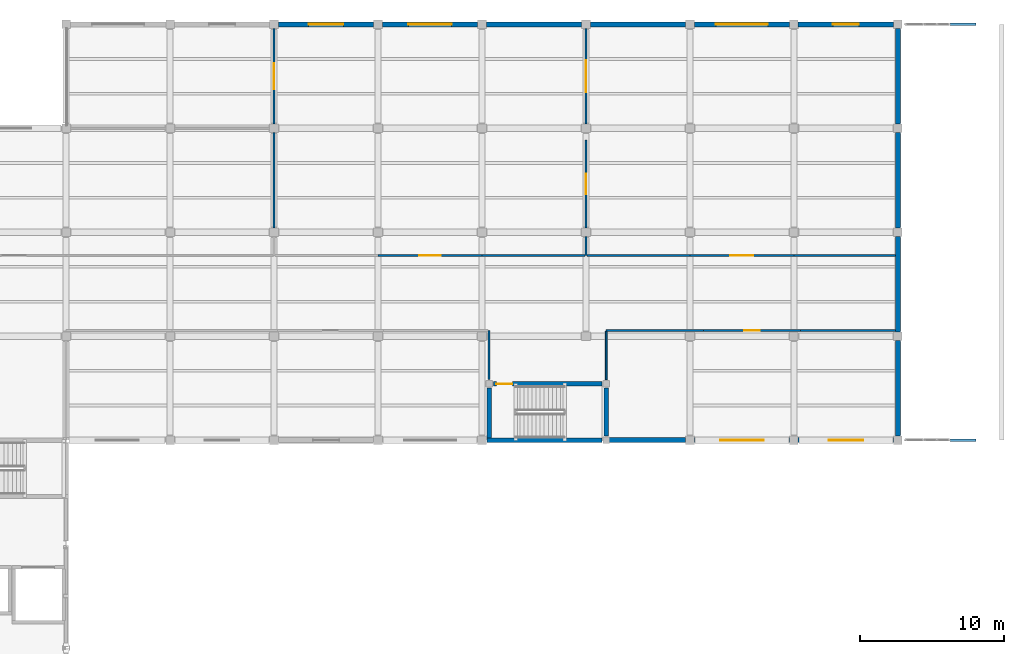
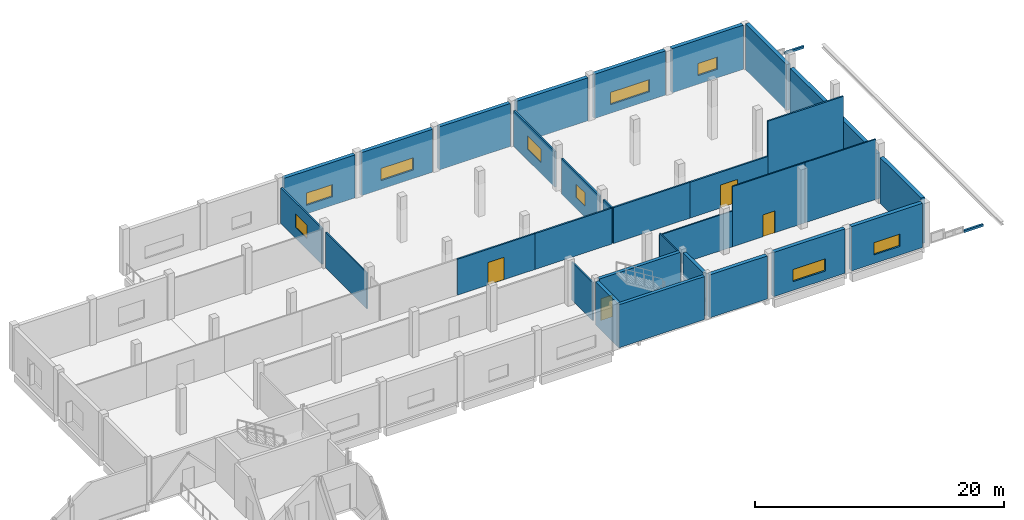
# One storey, part 93 of 105: 34 walls, 9 windows, 4 doors, 13 openings.
"""IFC4 building model written with IfcOpenShell, lengths in metres."""

import ifcopenshell
import ifcopenshell.guid

model = None  # the IFC model being written
_history = None  # IfcOwnerHistory: only IFC2X3 demands one
_inside = {}  # id of a spatial element -> (the spatial element, [elements in it])
_under = {}  # id of a project, library or spatial element -> (it, [spatial elements below it])
_declared = {}  # id of a project -> (the project, [libraries it declares])
_typed = {}  # id of a type object -> (the type object, [elements of that type])
_made_of = {}  # id of a material, layer set ... -> (it, [elements and type objects made of it])


def new_model(schema):
    """Start an empty IFC model of exactly this schema.

    Asked for "IFC4X3", IfcOpenShell would pick the latest addendum, in which some entities
    have other attributes; the version numbers below select the first issue.
    IFC2X3 requires an IfcOwnerHistory on every rooted entity: one is made here for all.
    """
    global model, _history
    if schema == "IFC4X3":
        model = ifcopenshell.file(schema_version=(4, 3, 0, 0))
    else:
        model = ifcopenshell.file(schema=schema)
    _inside.clear()
    _under.clear()
    _declared.clear()
    _typed.clear()
    _made_of.clear()
    _history = None
    if model.schema == "IFC2X3":
        org = make("IfcOrganization", Name="unknown")
        user = make(
            "IfcPersonAndOrganization",
            ThePerson=make("IfcPerson", FamilyName="unknown"),
            TheOrganization=org,
        )
        app = make(
            "IfcApplication",
            ApplicationDeveloper=org,
            Version="unknown",
            ApplicationFullName="unknown",
            ApplicationIdentifier="unknown",
        )
        _history = make(
            "IfcOwnerHistory",
            OwningUser=user,
            OwningApplication=app,
            ChangeAction="ADDED",
            CreationDate=0,
        )
    return model


def make(cls, **values):
    """One entity of the class cls with the attributes given. An attribute that is None is left unset."""
    return model.create_entity(
        cls, **{name: value for name, value in values.items() if value is not None}
    )


def rooted(cls, **values):
    """An entity with a GlobalId (a new one), such as an element, a storey or a relation."""
    return make(cls, GlobalId=ifcopenshell.guid.new(), OwnerHistory=_history, **values)


def si_unit(unit_type, name, prefix=None):
    """IfcSIUnit, for example si_unit("LENGTHUNIT", "METRE", prefix="MILLI")."""
    return make("IfcSIUnit", UnitType=unit_type, Prefix=prefix, Name=name)


def assignment(units):
    """IfcUnitAssignment: the units of a project."""
    return None if units is None else make("IfcUnitAssignment", Units=units)


def point(xyz):
    """IfcCartesianPoint."""
    return None if xyz is None else make("IfcCartesianPoint", Coordinates=xyz)


def direction(xyz):
    """IfcDirection."""
    return None if xyz is None else make("IfcDirection", DirectionRatios=xyz)


def frame(location, z_axis=None, x_axis=None):
    """IfcAxis2Placement3D, a coordinate frame: its origin and axes. An axis left out is left unset."""
    return make(
        "IfcAxis2Placement3D",
        Location=point(location),
        Axis=direction(z_axis),
        RefDirection=direction(x_axis),
    )


def frame_2d(location, x_axis=None):
    """IfcAxis2Placement2D, a coordinate frame in the plane: its origin and x axis."""
    return make(
        "IfcAxis2Placement2D", Location=point(location), RefDirection=direction(x_axis)
    )


def origin():
    """The frame at (0, 0, 0) with its axes left unset."""
    return frame((0.0, 0.0, 0.0))


def place(relative_to, where):
    """IfcLocalPlacement: puts the frame where relative to a parent placement (None: the world)."""
    return make(
        "IfcLocalPlacement", PlacementRelTo=relative_to, RelativePlacement=where
    )


def context(
    kind, dimensions, precision=None, world=None, true_north=None, identifier=None
):
    """IfcGeometricRepresentationContext, for example the 3D "Model" context."""
    return make(
        "IfcGeometricRepresentationContext",
        ContextIdentifier=identifier,
        ContextType=kind,
        CoordinateSpaceDimension=dimensions,
        Precision=precision,
        WorldCoordinateSystem=world,
        TrueNorth=true_north,
    )


def subcontext(parent, identifier, kind, view, scale=None):
    """IfcGeometricRepresentationSubContext, for example "Body" below "Model"."""
    return make(
        "IfcGeometricRepresentationSubContext",
        ContextIdentifier=identifier,
        ContextType=kind,
        ParentContext=parent,
        TargetScale=scale,
        TargetView=view,
    )


def project(units=None, contexts=None):
    """IfcProject with its units and contexts."""
    return rooted(
        "IfcProject",
        Name="project",
        RepresentationContexts=contexts,
        UnitsInContext=assignment(units),
    )


def spatial(cls, under=None, at=None, **own):
    """A site, building, storey or space (cls), placed at a placement, below another one or the project."""
    s = rooted(cls, ObjectPlacement=at, **own)
    if under is not None:
        _under.setdefault(under.id(), (under, []))[1].append(s)
    return s


def profile(cls, at=None, kind="AREA", **sizes):
    """A parametric profile (cls). Its sizes go by their IFC names, for example OverallWidth=200.0."""
    return make(cls, ProfileType=kind, Position=at, **sizes)


def rectangle(**sizes):
    """IfcRectangleProfileDef."""
    return profile("IfcRectangleProfileDef", **sizes)


def extrude(swept, where, along, depth):
    """IfcExtrudedAreaSolid: the profile swept, set in the frame where, extruded along a direction by depth."""
    return make(
        "IfcExtrudedAreaSolid",
        SweptArea=swept,
        Position=where,
        ExtrudedDirection=direction(along),
        Depth=depth,
    )


def shape(context_of_items, identifier, shape_type, items):
    """IfcShapeRepresentation: the items that make up one representation, for example the "Body"."""
    return make(
        "IfcShapeRepresentation",
        ContextOfItems=context_of_items,
        RepresentationIdentifier=identifier,
        RepresentationType=shape_type,
        Items=items,
    )


def material(Name=None, Category=None):
    """IfcMaterial."""
    return make("IfcMaterial", Name=Name, Category=Category)


def layer(
    of_material, thickness, ventilated=None, Name=None, Category=None, Priority=None
):
    """IfcMaterialLayer: one layer of a wall or slab, of a material (None: an air gap)."""
    return make(
        "IfcMaterialLayer",
        Material=of_material,
        LayerThickness=thickness,
        IsVentilated=ventilated,
        Name=Name,
        Category=Category,
        Priority=Priority,
    )


def layer_set(layers, Name=None):
    """IfcMaterialLayerSet."""
    return make("IfcMaterialLayerSet", MaterialLayers=layers, LayerSetName=Name)


def made_of(thing, what):
    """Note that an element or type object is made of a material, layer set ...; save() writes the relation."""
    if what is not None:
        _made_of.setdefault(what.id(), (what, []))[1].append(thing)
    return thing


def type_object(cls, material=None, **own):
    """A type object (cls), such as IfcWallType, which elements share."""
    return made_of(rooted(cls, **own), material)


def element(
    cls,
    number,
    at=None,
    inside=None,
    cuts=None,
    type_object=None,
    material=None,
    context=None,
    identifier="Body",
    shape_type=None,
    held_by="IfcProductDefinitionShape",
    body=None,
    shapes=None,
    **own,
):
    """One element of the class cls, such as IfcWall. Its Tag is "e" and its number.

    at: its placement. inside: the storey or other place that contains it. cuts: it is an
    opening in that element (IfcRelVoidsElement). A single representation is given by context,
    identifier, shape_type and body (its items); several are given by shapes. held_by: the class
    of the entity that holds the representations. save() writes the other relations.
    """
    e = rooted(cls, Tag="e%d" % number, ObjectPlacement=at, **own)
    if body is not None:
        shapes = [shape(context, identifier, shape_type, body)]
    if shapes is not None:
        e.Representation = make(held_by, Representations=shapes)
    if inside is not None:
        _inside.setdefault(inside.id(), (inside, []))[1].append(e)
    if cuts is not None:
        rooted(
            "IfcRelVoidsElement", RelatingBuildingElement=cuts, RelatedOpeningElement=e
        )
    if type_object is not None:
        _typed.setdefault(type_object.id(), (type_object, []))[1].append(e)
    return made_of(e, material)


def fill(opening, filler):
    """IfcRelFillsElement: the door or window that sits in an opening."""
    return rooted(
        "IfcRelFillsElement",
        RelatingOpeningElement=opening,
        RelatedBuildingElement=filler,
    )


def aggregate(whole, parts):
    """IfcRelAggregates: a whole, such as a stair, and the parts it consists of."""
    return rooted("IfcRelAggregates", RelatingObject=whole, RelatedObjects=parts)


def save(model, path):
    """Write the relations noted so far, then the file.

    IfcRelAggregates (storeys below a building ...), IfcRelContainedInSpatialStructure (elements
    in a storey), IfcRelDefinesByType, IfcRelAssociatesMaterial and IfcRelDeclares: one each for
    every whole, place, type object, material and project.
    """
    for whole, parts in _under.values():
        aggregate(whole, parts)
    for where, things in _inside.values():
        rooted(
            "IfcRelContainedInSpatialStructure",
            RelatedElements=things,
            RelatingStructure=where,
        )
    for kind, things in _typed.values():
        rooted("IfcRelDefinesByType", RelatedObjects=things, RelatingType=kind)
    for what, things in _made_of.values():
        rooted("IfcRelAssociatesMaterial", RelatedObjects=things, RelatingMaterial=what)
    for by, libraries in _declared.values():
        rooted("IfcRelDeclares", RelatingContext=by, RelatedDefinitions=libraries)
    model.write(path)


model = new_model("IFC4")

# Units and contexts
model_context = context("Model", 3, precision=1e-05, world=origin(), true_north=direction((0.0, 1.0)))
body_context = subcontext(model_context, "Body", "Model", "MODEL_VIEW")
ifc_project = project(units=[si_unit("LENGTHUNIT", "METRE"), si_unit("AREAUNIT", "SQUARE_METRE"), si_unit("VOLUMEUNIT", "CUBIC_METRE"), si_unit("PLANEANGLEUNIT", "RADIAN"), si_unit("MASSUNIT", "GRAM", prefix="KILO"), si_unit("THERMODYNAMICTEMPERATUREUNIT", "KELVIN"), si_unit("POWERUNIT", "WATT")], contexts=[model_context])

# Site, building, storey
site_placement = place(None, origin())
site = spatial("IfcSite", under=ifc_project, at=site_placement, CompositionType="ELEMENT")
building_placement = place(site_placement, origin())
building = spatial("IfcBuilding", under=site, at=building_placement, Name="Kaldorven Railside Theatre", CompositionType="ELEMENT")
storey_placement = place(building_placement, frame((0.0, 0.0, 9.89990234375)))
storey = spatial("IfcBuildingStorey", under=building, at=storey_placement, Name="L02", CompositionType="ELEMENT", Elevation=9.89990234375)

# Wall, opening, window
ifc_material_1 = material(Name="Precast concrete C40/50", Category="concrete")
ifc_layer_1 = layer(ifc_material_1, 0.35009765625, Name="Precast concrete C40/50")
ifc_layer_set_1 = layer_set([ifc_layer_1], Name="Precast concrete C40/50")
wall_type_1 = type_object("IfcWallType", Name="WL-EW03", PredefinedType="SOLIDWALL", material=ifc_layer_set_1)
wall_1_placement = place(storey_placement, frame((180.5, 112.800048828125, 0.0), z_axis=(0.0, 0.0, 1.0), x_axis=(-1.0, 0.0, 0.0)))
wall_1 = element("IfcWall", 1, at=wall_1_placement, inside=storey, type_object=wall_type_1, Name="V6 L02 Exterior Wall EW-0413", PredefinedType="SOLIDWALL", context=body_context, shape_type="SweptSolid", body=[
    extrude(rectangle(XDim=6.60009765625, YDim=0.35009765625, at=frame_2d((3.300048828125, 0.0))), origin(), (0.0, 0.0, 1.0), 4.346435546875),
])
opening_1_placement = place(wall_1_placement, frame((2.10009765625, 0.0, 0.85009765625)))
opening_1 = element("IfcOpeningElement", 2, at=opening_1_placement, cuts=wall_1, Name="Opening WN-094", PredefinedType="OPENING", context=body_context, shape_type="SweptSolid", body=[
    extrude(rectangle(XDim=2.39990234375, YDim=1.199951171875, at=frame_2d((1.199951171875, 0.60009765625))), frame((0.0, 0.18505859375, 0.0), z_axis=(0.0, -1.0, 0.0), x_axis=(1.0, 0.0, 0.0)), (0.0, 0.0, 1.0), 0.3701171875),
])
ifc_material_2 = material(Name="Low-E laminated solar-control glass", Category="glass")
window_type_1 = type_object("IfcWindowType", Name="WN-EW15", PartitioningType="SINGLE_PANEL", PredefinedType="WINDOW", material=ifc_material_2)
window_1_placement = place(opening_1_placement, origin())
window_1 = element("IfcWindow", 3, at=window_1_placement, inside=storey, type_object=window_type_1, Name="Shaded Acoustic Exterior Window WN-094", OverallHeight=1.199951171875, OverallWidth=2.39990234375, PartitioningType="SINGLE_PANEL", PredefinedType="WINDOW", context=body_context, shape_type="SweptSolid", body=[
    extrude(rectangle(XDim=2.39990234375, YDim=1.199951171875, at=frame_2d((1.199951171875, 0.60009765625))), frame((0.0, 0.030029296875, 0.0), z_axis=(0.0, -1.0, 0.0), x_axis=(1.0, 0.0, 0.0)), (0.0, 0.0, 1.0), 0.06005859375),
])
fill(opening_1, window_1)

wall_2_placement = place(storey_placement, frame((173.300048828125, 112.800048828125, 0.0), z_axis=(0.0, 0.0, 1.0), x_axis=(-1.0, 0.0, 0.0)))
wall_2 = element("IfcWall", 4, at=wall_2_placement, inside=storey, type_object=wall_type_1, Name="V6 L02 Exterior Wall EW-0414", PredefinedType="SOLIDWALL", context=body_context, shape_type="SweptSolid", body=[
    extrude(rectangle(XDim=6.60009765625, YDim=0.35009765625, at=frame_2d((3.300048828125, 0.0))), origin(), (0.0, 0.0, 1.0), 4.346435546875),
])
opening_2_placement = place(wall_2_placement, frame((1.800048828125, 0.0, 0.85009765625)))
opening_2 = element("IfcOpeningElement", 5, at=opening_2_placement, cuts=wall_2, Name="Opening WN-095", PredefinedType="OPENING", context=body_context, shape_type="SweptSolid", body=[
    extrude(rectangle(XDim=3.0, YDim=1.199951171875, at=frame_2d((1.5, 0.60009765625))), frame((0.0, 0.18505859375, 0.0), z_axis=(0.0, -1.0, 0.0), x_axis=(1.0, 0.0, 0.0)), (0.0, 0.0, 1.0), 0.3701171875),
])
window_type_2 = type_object("IfcWindowType", Name="WN-EW16", PartitioningType="SINGLE_PANEL", PredefinedType="WINDOW", material=ifc_material_2)
window_2_placement = place(opening_2_placement, origin())
window_2 = element("IfcWindow", 6, at=window_2_placement, inside=storey, type_object=window_type_2, Name="Shaded Acoustic Exterior Window WN-095", OverallHeight=1.199951171875, OverallWidth=3.0, PartitioningType="SINGLE_PANEL", PredefinedType="WINDOW", context=body_context, shape_type="SweptSolid", body=[
    extrude(rectangle(XDim=3.0, YDim=1.199951171875, at=frame_2d((1.5, 0.60009765625))), frame((0.0, 0.030029296875, 0.0), z_axis=(0.0, -1.0, 0.0), x_axis=(1.0, 0.0, 0.0)), (0.0, 0.0, 1.0), 0.06005859375),
])
fill(opening_2, window_2)

# Wall
wall_3_placement = place(storey_placement, frame((166.10009765625, 112.800048828125, 0.0), z_axis=(0.0, 0.0, 1.0), x_axis=(-1.0, 0.0, 0.0)))
element("IfcWall", 7, at=wall_3_placement, inside=storey, type_object=wall_type_1, Name="V6 L02 Exterior Wall EW-0415", PredefinedType="SOLIDWALL", context=body_context, shape_type="SweptSolid", body=[
    extrude(rectangle(XDim=5.35009765625, YDim=0.35009765625, at=frame_2d((2.675048828125, 0.0))), origin(), (0.0, 0.0, 1.0), 4.22021484375),
])

# Wall, opening, window
wall_4_placement = place(storey_placement, frame((137.89990234375, 141.60009765625, 0.0), z_axis=(0.0, 0.0, 1.0), x_axis=(1.0, 0.0, 0.0)))
wall_4 = element("IfcWall", 8, at=wall_4_placement, inside=storey, type_object=wall_type_1, Name="V6 L02 Exterior Wall EW-0422", PredefinedType="SOLIDWALL", context=body_context, shape_type="SweptSolid", body=[
    extrude(rectangle(XDim=6.60009765625, YDim=0.35009765625, at=frame_2d((3.300048828125, 0.0))), origin(), (0.0, 0.0, 1.0), 4.22021484375),
])
opening_3_placement = place(wall_4_placement, frame((2.10009765625, 0.0, 0.85009765625)))
opening_3 = element("IfcOpeningElement", 9, at=opening_3_placement, cuts=wall_4, Name="Opening WN-102", PredefinedType="OPENING", context=body_context, shape_type="SweptSolid", body=[
    extrude(rectangle(XDim=2.39990234375, YDim=1.199951171875, at=frame_2d((1.199951171875, 0.60009765625))), frame((0.0, 0.18505859375, 0.0), z_axis=(0.0, -1.0, 0.0), x_axis=(1.0, 0.0, 0.0)), (0.0, 0.0, 1.0), 0.3701171875),
])
window_3_placement = place(opening_3_placement, origin())
window_3 = element("IfcWindow", 10, at=window_3_placement, inside=storey, type_object=window_type_1, Name="Shaded Acoustic Exterior Window WN-102", OverallHeight=1.199951171875, OverallWidth=2.39990234375, PartitioningType="SINGLE_PANEL", PredefinedType="WINDOW", context=body_context, shape_type="SweptSolid", body=[
    extrude(rectangle(XDim=2.39990234375, YDim=1.199951171875, at=frame_2d((1.199951171875, 0.60009765625))), frame((0.0, 0.030029296875, 0.0), z_axis=(0.0, -1.0, 0.0), x_axis=(1.0, 0.0, 0.0)), (0.0, 0.0, 1.0), 0.06005859375),
])
fill(opening_3, window_3)

wall_5_placement = place(storey_placement, frame((145.10009765625, 141.60009765625, 0.0), z_axis=(0.0, 0.0, 1.0), x_axis=(1.0, 0.0, 0.0)))
wall_5 = element("IfcWall", 11, at=wall_5_placement, inside=storey, type_object=wall_type_1, Name="V6 L02 Exterior Wall EW-0423", PredefinedType="SOLIDWALL", context=body_context, shape_type="SweptSolid", body=[
    extrude(rectangle(XDim=6.599853515625, YDim=0.35009765625, at=frame_2d((3.2998046875, 0.0))), origin(), (0.0, 0.0, 1.0), 4.22021484375),
])
opening_4_placement = place(wall_5_placement, frame((1.800048828125, 0.0, 0.85009765625)))
opening_4 = element("IfcOpeningElement", 12, at=opening_4_placement, cuts=wall_5, Name="Opening WN-103", PredefinedType="OPENING", context=body_context, shape_type="SweptSolid", body=[
    extrude(rectangle(XDim=3.0, YDim=1.199951171875, at=frame_2d((1.5, 0.60009765625))), frame((0.0, 0.18505859375, 0.0), z_axis=(0.0, -1.0, 0.0), x_axis=(1.0, 0.0, 0.0)), (0.0, 0.0, 1.0), 0.3701171875),
])
window_4_placement = place(opening_4_placement, origin())
window_4 = element("IfcWindow", 13, at=window_4_placement, inside=storey, type_object=window_type_2, Name="Shaded Acoustic Exterior Window WN-103", OverallHeight=1.199951171875, OverallWidth=3.0, PartitioningType="SINGLE_PANEL", PredefinedType="WINDOW", context=body_context, shape_type="SweptSolid", body=[
    extrude(rectangle(XDim=3.0, YDim=1.199951171875, at=frame_2d((1.5, 0.60009765625))), frame((0.0, 0.030029296875, 0.0), z_axis=(0.0, -1.0, 0.0), x_axis=(1.0, 0.0, 0.0)), (0.0, 0.0, 1.0), 0.06005859375),
])
fill(opening_4, window_4)

# Walls
wall_6_placement = place(storey_placement, frame((152.300048828125, 141.60009765625, 0.0), z_axis=(0.0, 0.0, 1.0), x_axis=(1.0, 0.0, 0.0)))
element("IfcWall", 14, at=wall_6_placement, inside=storey, type_object=wall_type_1, Name="V6 L02 Exterior Wall EW-0424", PredefinedType="SOLIDWALL", context=body_context, shape_type="SweptSolid", body=[
    extrude(rectangle(XDim=6.599853515625, YDim=0.35009765625, at=frame_2d((3.2998046875, 0.0))), origin(), (0.0, 0.0, 1.0), 4.22021484375),
])
wall_7_placement = place(storey_placement, frame((159.5, 141.60009765625, 0.0), z_axis=(0.0, 0.0, 1.0), x_axis=(1.0, 0.0, 0.0)))
element("IfcWall", 15, at=wall_7_placement, inside=storey, type_object=wall_type_1, Name="V6 L02 Exterior Wall EW-0425", PredefinedType="SOLIDWALL", context=body_context, shape_type="SweptSolid", body=[
    extrude(rectangle(XDim=6.60009765625, YDim=0.35009765625, at=frame_2d((3.300048828125, 0.0))), origin(), (0.0, 0.0, 1.0), 4.22021484375),
])

# Wall, opening, window
wall_8_placement = place(storey_placement, frame((166.699951171875, 141.60009765625, 0.0), z_axis=(0.0, 0.0, 1.0), x_axis=(1.0, 0.0, 0.0)))
wall_8 = element("IfcWall", 16, at=wall_8_placement, inside=storey, type_object=wall_type_1, Name="V6 L02 Exterior Wall EW-0426", PredefinedType="SOLIDWALL", context=body_context, shape_type="SweptSolid", body=[
    extrude(rectangle(XDim=6.60009765625, YDim=0.35009765625, at=frame_2d((3.300048828125, 0.0))), origin(), (0.0, 0.0, 1.0), 4.346435546875),
])
opening_5_placement = place(wall_8_placement, frame((1.5, 0.0, 0.85009765625)))
opening_5 = element("IfcOpeningElement", 17, at=opening_5_placement, cuts=wall_8, Name="Opening WN-104", PredefinedType="OPENING", context=body_context, shape_type="SweptSolid", body=[
    extrude(rectangle(XDim=3.60009765625, YDim=1.199951171875, at=frame_2d((1.800048828125, 0.60009765625))), frame((0.0, 0.18505859375, 0.0), z_axis=(0.0, -1.0, 0.0), x_axis=(1.0, 0.0, 0.0)), (0.0, 0.0, 1.0), 0.3701171875),
])
window_type_3 = type_object("IfcWindowType", Name="WN-EW17", PartitioningType="SINGLE_PANEL", PredefinedType="WINDOW", material=ifc_material_2)
window_5_placement = place(opening_5_placement, origin())
window_5 = element("IfcWindow", 18, at=window_5_placement, inside=storey, type_object=window_type_3, Name="Shaded Acoustic Exterior Window WN-104", OverallHeight=1.199951171875, OverallWidth=3.60009765625, PartitioningType="SINGLE_PANEL", PredefinedType="WINDOW", context=body_context, shape_type="SweptSolid", body=[
    extrude(rectangle(XDim=3.60009765625, YDim=1.199951171875, at=frame_2d((1.800048828125, 0.60009765625))), frame((0.0, 0.030029296875, 0.0), z_axis=(0.0, -1.0, 0.0), x_axis=(1.0, 0.0, 0.0)), (0.0, 0.0, 1.0), 0.06005859375),
])
fill(opening_5, window_5)

wall_9_placement = place(storey_placement, frame((173.89990234375, 141.60009765625, 0.0), z_axis=(0.0, 0.0, 1.0), x_axis=(1.0, 0.0, 0.0)))
wall_9 = element("IfcWall", 19, at=wall_9_placement, inside=storey, type_object=wall_type_1, Name="V6 L02 Exterior Wall EW-0427", PredefinedType="SOLIDWALL", context=body_context, shape_type="SweptSolid", body=[
    extrude(rectangle(XDim=6.60009765625, YDim=0.35009765625, at=frame_2d((3.300048828125, 0.0))), origin(), (0.0, 0.0, 1.0), 4.346435546875),
])
opening_6_placement = place(wall_9_placement, frame((2.39990234375, 0.0, 0.85009765625)))
opening_6 = element("IfcOpeningElement", 20, at=opening_6_placement, cuts=wall_9, Name="Opening WN-105", PredefinedType="OPENING", context=body_context, shape_type="SweptSolid", body=[
    extrude(rectangle(XDim=1.800048828125, YDim=1.199951171875, at=frame_2d((0.89990234375, 0.60009765625))), frame((0.0, 0.18505859375, 0.0), z_axis=(0.0, -1.0, 0.0), x_axis=(1.0, 0.0, 0.0)), (0.0, 0.0, 1.0), 0.3701171875),
])
window_type_4 = type_object("IfcWindowType", Name="WN-EW14", PartitioningType="SINGLE_PANEL", PredefinedType="WINDOW", material=ifc_material_2)
window_6_placement = place(opening_6_placement, origin())
window_6 = element("IfcWindow", 21, at=window_6_placement, inside=storey, type_object=window_type_4, Name="Shaded Acoustic Exterior Window WN-105", OverallHeight=1.199951171875, OverallWidth=1.800048828125, PartitioningType="SINGLE_PANEL", PredefinedType="WINDOW", context=body_context, shape_type="SweptSolid", body=[
    extrude(rectangle(XDim=1.800048828125, YDim=1.199951171875, at=frame_2d((0.89990234375, 0.60009765625))), frame((0.0, 0.030029296875, 0.0), z_axis=(0.0, -1.0, 0.0), x_axis=(1.0, 0.0, 0.0)), (0.0, 0.0, 1.0), 0.06005859375),
])
fill(opening_6, window_6)

# Walls
for number, where, z_axis, x_axis, name in (
    (22, (180.800048828125, 141.300048828125, 0.0), (0.0, 0.0, 1.0), (0.0, -1.0, 0.0), "V6 L02 Exterior Wall EW-0428"),
    (23, (180.800048828125, 134.10009765625, 0.0), (0.0, 0.0, 1.0), (0.0, -1.0, 0.0), "V6 L02 Exterior Wall EW-0429"),
):
    element("IfcWall", number, at=place(storey_placement, frame(where, z_axis=z_axis, x_axis=x_axis)), inside=storey, type_object=wall_type_1, Name=name, PredefinedType="SOLIDWALL", context=body_context, shape_type="SweptSolid", body=[
        extrude(rectangle(XDim=6.60009765625, YDim=0.35009765625, at=frame_2d((3.300048828125, 0.0))), origin(), (0.0, 0.0, 1.0), 4.5),
    ])
for number, where, z_axis, x_axis, name in (
    (24, (180.800048828125, 126.89990234375, 0.0), (0.0, 0.0, 1.0), (0.0, -1.0, 0.0), "V6 L02 Exterior Wall EW-0430"),
    (25, (180.800048828125, 119.699951171875, 0.0), (0.0, 0.0, 1.0), (0.0, -1.0, 0.0), "V6 L02 Exterior Wall EW-0431"),
):
    element("IfcWall", number, at=place(storey_placement, frame(where, z_axis=z_axis, x_axis=x_axis)), inside=storey, type_object=wall_type_1, Name=name, PredefinedType="SOLIDWALL", context=body_context, shape_type="SweptSolid", body=[
        extrude(rectangle(XDim=6.599853515625, YDim=0.35009765625, at=frame_2d((3.2998046875, 0.0))), origin(), (0.0, 0.0, 1.0), 4.5),
    ])
ifc_material_3 = material(Name="Architectural concrete C40/50", Category="concrete")
ifc_layer_2 = layer(ifc_material_3, 0.179931640625, Name="Architectural concrete C40/50")
ifc_layer_set_2 = layer_set([ifc_layer_2], Name="Architectural concrete C40/50")
wall_type_2 = type_object("IfcWallType", Name="WL-EW08", PredefinedType="PARAPET", material=ifc_layer_set_2)
for number, where, z_axis, x_axis, name in (
    (26, (184.39990234375, 112.800048828125, 0.02001953125), (0.0, 0.0, 1.0), (1.0, 0.0, 0.0), "Workshop East Gable Clerestory Eave Spandrel 153"),
    (27, (184.39990234375, 141.60009765625, 0.02001953125), (0.0, 0.0, 1.0), (1.0, 0.0, 0.0), "Workshop North Gable Clerestory Eave Spandrel 156"),
):
    element("IfcWall", number, at=place(storey_placement, frame(where, z_axis=z_axis, x_axis=x_axis)), inside=storey, type_object=wall_type_2, Name=name, PredefinedType="PARAPET", context=body_context, shape_type="SweptSolid", body=[
        extrude(rectangle(XDim=1.800048828125, YDim=0.179931640625, at=frame_2d((0.89990234375, 0.0))), origin(), (0.0, 0.0, 1.0), 0.2099609375),
    ])

# Wall, opening, window
ifc_material_4 = material(Name="Acoustic gypsum board")
ifc_layer_3 = layer(ifc_material_4, 0.14990234375, Name="Acoustic gypsum board")
ifc_layer_set_3 = layer_set([ifc_layer_3], Name="Acoustic gypsum board")
wall_type_3 = type_object("IfcWallType", Name="WL-IW-AC1", PredefinedType="PARTITIONING", material=ifc_layer_set_3)
wall_10_placement = place(storey_placement, frame((159.199951171875, 127.5, 0.0), z_axis=(0.0, 0.0, 1.0), x_axis=(0.0, 1.0, 0.0)))
wall_10 = element("IfcWall", 28, at=wall_10_placement, inside=storey, type_object=wall_type_3, Name="L02 Interior Wall IW-0610", PredefinedType="PARTITIONING", context=body_context, shape_type="SweptSolid", body=[
    extrude(rectangle(XDim=6.10009765625, YDim=0.14990234375, at=frame_2d((3.050048828125, 0.0))), origin(), (0.0, 0.0, 1.0), 3.51513671875),
])
opening_7_placement = place(wall_10_placement, frame((2.35009765625, 0.0, 1.10009765625)))
opening_7 = element("IfcOpeningElement", 29, at=opening_7_placement, cuts=wall_10, Name="Opening IWN-021", PredefinedType="OPENING", context=body_context, shape_type="SweptSolid", body=[
    extrude(rectangle(XDim=1.39990234375, YDim=1.300048828125, at=frame_2d((0.699951171875, 0.64990234375))), frame((0.0, 0.0849609375, 0.0), z_axis=(0.0, -1.0, 0.0), x_axis=(1.0, 0.0, 0.0)), (0.0, 0.0, 1.0), 0.169921875),
])
window_type_5 = type_object("IfcWindowType", Name="WN-IW05", PartitioningType="SINGLE_PANEL", PredefinedType="WINDOW", material=ifc_material_2)
window_7_placement = place(opening_7_placement, origin())
window_7 = element("IfcWindow", 30, at=window_7_placement, inside=storey, type_object=window_type_5, Name="Acoustic Observation Window IWN-021", OverallHeight=1.300048828125, OverallWidth=1.39990234375, PartitioningType="SINGLE_PANEL", PredefinedType="WINDOW", context=body_context, shape_type="SweptSolid", body=[
    extrude(rectangle(XDim=1.39990234375, YDim=1.300048828125, at=frame_2d((0.699951171875, 0.64990234375))), frame((0.0, 0.030029296875, 0.0), z_axis=(0.0, -1.0, 0.0), x_axis=(1.0, 0.0, 0.0)), (0.0, 0.0, 1.0), 0.06005859375),
])
fill(opening_7, window_7)

# Wall
wall_11_placement = place(storey_placement, frame((159.199951171875, 125.60009765625, 0.0), z_axis=(0.0, 0.0, 1.0), x_axis=(0.0, 1.0, 0.0)))
element("IfcWall", 31, at=wall_11_placement, inside=storey, type_object=wall_type_3, Name="L02 Interior Wall IW-0611", PredefinedType="PARTITIONING", context=body_context, shape_type="SweptSolid", body=[
    extrude(rectangle(XDim=1.2998046875, YDim=0.14990234375, at=frame_2d((0.64990234375, 0.0))), origin(), (0.0, 0.0, 1.0), 3.51513671875),
])

# Wall, opening, window
wall_12_placement = place(storey_placement, frame((159.199951171875, 134.699951171875, 0.0), z_axis=(0.0, 0.0, 1.0), x_axis=(0.0, 1.0, 0.0)))
wall_12 = element("IfcWall", 32, at=wall_12_placement, inside=storey, type_object=wall_type_3, Name="L02 Interior Wall IW-0612", PredefinedType="PARTITIONING", context=body_context, shape_type="SweptSolid", body=[
    extrude(rectangle(XDim=6.60009765625, YDim=0.14990234375, at=frame_2d((3.300048828125, 0.0))), origin(), (0.0, 0.0, 1.0), 3.51513671875),
])
opening_8_placement = place(wall_12_placement, frame((2.199951171875, 0.0, 1.10009765625)))
opening_8 = element("IfcOpeningElement", 33, at=opening_8_placement, cuts=wall_12, Name="Opening IWN-023", PredefinedType="OPENING", context=body_context, shape_type="SweptSolid", body=[
    extrude(rectangle(XDim=2.199951171875, YDim=1.300048828125, at=frame_2d((1.10009765625, 0.64990234375))), frame((0.0, 0.0849609375, 0.0), z_axis=(0.0, -1.0, 0.0), x_axis=(1.0, 0.0, 0.0)), (0.0, 0.0, 1.0), 0.169921875),
])
window_type_6 = type_object("IfcWindowType", Name="WN-IW07", PartitioningType="SINGLE_PANEL", PredefinedType="WINDOW", material=ifc_material_2)
window_8_placement = place(opening_8_placement, origin())
window_8 = element("IfcWindow", 34, at=window_8_placement, inside=storey, type_object=window_type_6, Name="Acoustic Observation Window IWN-023", OverallHeight=1.300048828125, OverallWidth=2.199951171875, PartitioningType="SINGLE_PANEL", PredefinedType="WINDOW", context=body_context, shape_type="SweptSolid", body=[
    extrude(rectangle(XDim=2.199951171875, YDim=1.300048828125, at=frame_2d((1.10009765625, 0.64990234375))), frame((0.0, 0.030029296875, 0.0), z_axis=(0.0, -1.0, 0.0), x_axis=(1.0, 0.0, 0.0)), (0.0, 0.0, 1.0), 0.06005859375),
])
fill(opening_8, window_8)

wall_13_placement = place(storey_placement, frame((137.60009765625, 141.300048828125, 0.0), z_axis=(0.0, 0.0, 1.0), x_axis=(0.0, -1.0, 0.0)))
wall_13 = element("IfcWall", 35, at=wall_13_placement, inside=storey, type_object=wall_type_3, Name="L02 Interior Wall IW-0613", PredefinedType="PARTITIONING", context=body_context, shape_type="SweptSolid", body=[
    extrude(rectangle(XDim=6.60009765625, YDim=0.14990234375, at=frame_2d((3.300048828125, 0.0))), origin(), (0.0, 0.0, 1.0), 3.51513671875),
])
opening_9_placement = place(wall_13_placement, frame((2.39990234375, 0.0, 1.10009765625)))
opening_9 = element("IfcOpeningElement", 36, at=opening_9_placement, cuts=wall_13, Name="Opening IWN-022", PredefinedType="OPENING", context=body_context, shape_type="SweptSolid", body=[
    extrude(rectangle(XDim=1.800048828125, YDim=1.300048828125, at=frame_2d((0.89990234375, 0.64990234375))), frame((0.0, 0.0849609375, 0.0), z_axis=(0.0, -1.0, 0.0), x_axis=(1.0, 0.0, 0.0)), (0.0, 0.0, 1.0), 0.169921875),
])
window_type_7 = type_object("IfcWindowType", Name="WN-IW06", PartitioningType="SINGLE_PANEL", PredefinedType="WINDOW", material=ifc_material_2)
window_9_placement = place(opening_9_placement, origin())
window_9 = element("IfcWindow", 37, at=window_9_placement, inside=storey, type_object=window_type_7, Name="Acoustic Observation Window IWN-022", OverallHeight=1.300048828125, OverallWidth=1.800048828125, PartitioningType="SINGLE_PANEL", PredefinedType="WINDOW", context=body_context, shape_type="SweptSolid", body=[
    extrude(rectangle(XDim=1.800048828125, YDim=1.300048828125, at=frame_2d((0.89990234375, 0.64990234375))), frame((0.0, 0.030029296875, 0.0), z_axis=(0.0, -1.0, 0.0), x_axis=(1.0, 0.0, 0.0)), (0.0, 0.0, 1.0), 0.06005859375),
])
fill(opening_9, window_9)

# Wall, opening, door
wall_14_placement = place(storey_placement, frame((144.800048828125, 125.60009765625, 0.0), z_axis=(0.0, 0.0, 1.0), x_axis=(1.0, 0.0, 0.0)))
wall_14 = element("IfcWall", 38, at=wall_14_placement, inside=storey, type_object=wall_type_3, Name="L02 Interior Wall IW-0615", PredefinedType="PARTITIONING", context=body_context, shape_type="SweptSolid", body=[
    extrude(rectangle(XDim=7.199951171875, YDim=0.14990234375, at=frame_2d((3.60009765625, 0.0))), origin(), (0.0, 0.0, 1.0), 3.51513671875),
])
opening_10_placement = place(wall_14_placement, frame((2.85009765625, 0.0, 0.0)))
opening_10 = element("IfcOpeningElement", 39, at=opening_10_placement, cuts=wall_14, Name="Opening ID-0140", PredefinedType="OPENING", context=body_context, shape_type="SweptSolid", body=[
    extrude(rectangle(XDim=1.5, YDim=2.199951171875, at=frame_2d((0.75, 1.10009765625))), frame((0.0, 0.0849609375, 0.0), z_axis=(0.0, -1.0, 0.0), x_axis=(1.0, 0.0, 0.0)), (0.0, 0.0, 1.0), 0.169921875),
])
ifc_material_5 = material(Name="Acoustic hardwood timber", Category="wood")
door_type_1 = type_object("IfcDoorType", Name="DR-ID-REH2", OperationType="NOTDEFINED", PredefinedType="DOOR", material=ifc_material_5)
door_1_placement = place(opening_10_placement, origin())
door_1 = element("IfcDoor", 40, at=door_1_placement, inside=storey, type_object=door_type_1, Name="Dance Rehearsal Room Entry Door", OperationType="DOUBLE_DOOR_SINGLE_SWING", OverallHeight=2.199951171875, OverallWidth=1.5, PredefinedType="DOOR", context=body_context, shape_type="SweptSolid", body=[
    extrude(rectangle(XDim=1.5, YDim=2.199951171875, at=frame_2d((0.75, 1.10009765625))), frame((0.0, 0.02490234375, 0.0), z_axis=(0.0, -1.0, 0.0), x_axis=(1.0, 0.0, 0.0)), (0.0, 0.0, 1.0), 0.050048828125),
])
fill(opening_10, door_1)

# Walls
wall_15_placement = place(storey_placement, frame((152.0, 125.60009765625, 0.0), z_axis=(0.0, 0.0, 1.0), x_axis=(1.0, 0.0, 0.0)))
element("IfcWall", 41, at=wall_15_placement, inside=storey, type_object=wall_type_3, Name="L02 Interior Wall IW-0616", PredefinedType="PARTITIONING", context=body_context, shape_type="SweptSolid", body=[
    extrude(rectangle(XDim=7.123046875, YDim=0.14990234375, at=frame_2d((3.5615234375, 0.0))), origin(), (0.0, 0.0, 1.0), 3.51513671875),
])
wall_16_placement = place(storey_placement, frame((159.277099609375, 125.60009765625, 0.0), z_axis=(0.0, 0.0, 1.0), x_axis=(1.0, 0.0, 0.0)))
element("IfcWall", 42, at=wall_16_placement, inside=storey, type_object=wall_type_3, Name="L02 Interior Wall IW-0617", PredefinedType="PARTITIONING", context=body_context, shape_type="SweptSolid", body=[
    extrude(rectangle(XDim=7.122802734375, YDim=0.14990234375, at=frame_2d((3.5615234375, 0.0))), origin(), (0.0, 0.0, 1.0), 3.51513671875),
])

# Wall, opening, door
wall_17_placement = place(storey_placement, frame((166.39990234375, 125.60009765625, 0.0), z_axis=(0.0, 0.0, 1.0), x_axis=(1.0, 0.0, 0.0)))
wall_17 = element("IfcWall", 43, at=wall_17_placement, inside=storey, type_object=wall_type_3, Name="L02 Interior Wall IW-0618", PredefinedType="PARTITIONING", context=body_context, shape_type="SweptSolid", body=[
    extrude(rectangle(XDim=7.2001953125, YDim=0.14990234375, at=frame_2d((3.60009765625, 0.0))), origin(), (0.0, 0.0, 1.0), 3.51513671875),
])
opening_11_placement = place(wall_17_placement, frame((2.800048828125, 0.0, 0.0)))
opening_11 = element("IfcOpeningElement", 44, at=opening_11_placement, cuts=wall_17, Name="Opening ID-0141", PredefinedType="OPENING", context=body_context, shape_type="SweptSolid", body=[
    extrude(rectangle(XDim=1.60009765625, YDim=2.25, at=frame_2d((0.800048828125, 1.125))), frame((0.0, 0.0849609375, 0.0), z_axis=(0.0, -1.0, 0.0), x_axis=(1.0, 0.0, 0.0)), (0.0, 0.0, 1.0), 0.169921875),
])
door_type_2 = type_object("IfcDoorType", Name="DR-ID-REH1", OperationType="NOTDEFINED", PredefinedType="DOOR", material=ifc_material_5)
door_2_placement = place(opening_11_placement, origin())
door_2 = element("IfcDoor", 45, at=door_2_placement, inside=storey, type_object=door_type_2, Name="Rehearsal Room East Entry Door", OperationType="DOUBLE_DOOR_SINGLE_SWING", OverallHeight=2.25, OverallWidth=1.60009765625, PredefinedType="DOOR", context=body_context, shape_type="SweptSolid", body=[
    extrude(rectangle(XDim=1.60009765625, YDim=2.25, at=frame_2d((0.800048828125, 1.125))), frame((0.0, 0.02490234375, 0.0), z_axis=(0.0, -1.0, 0.0), x_axis=(1.0, 0.0, 0.0)), (0.0, 0.0, 1.0), 0.050048828125),
])
fill(opening_11, door_2)

# Walls
wall_18_placement = place(storey_placement, frame((173.60009765625, 125.60009765625, 0.0), z_axis=(0.0, 0.0, 1.0), x_axis=(1.0, 0.0, 0.0)))
element("IfcWall", 46, at=wall_18_placement, inside=storey, type_object=wall_type_3, Name="L02 Interior Wall IW-0619", PredefinedType="PARTITIONING", context=body_context, shape_type="SweptSolid", body=[
    extrude(rectangle(XDim=7.02294921875, YDim=0.14990234375, at=frame_2d((3.511474609375, 0.0))), origin(), (0.0, 0.0, 1.0), 6.96875),
])
ifc_layer_4 = layer(ifc_material_4, 0.139892578125, Name="Acoustic gypsum board")
ifc_layer_set_4 = layer_set([ifc_layer_4], Name="Acoustic gypsum board")
wall_type_4 = type_object("IfcWallType", Name="WL-IW-AC2", PredefinedType="PARTITIONING", material=ifc_layer_set_4)
wall_19_placement = place(storey_placement, frame((152.5, 117.0, 0.0), z_axis=(0.0, 0.0, 1.0), x_axis=(0.0, 1.0, 0.0)))
element("IfcWall", 47, at=wall_19_placement, inside=storey, type_object=wall_type_4, Name="L02 Interior Wall IW-0620", PredefinedType="PARTITIONING", context=body_context, shape_type="SweptSolid", body=[
    extrude(rectangle(XDim=3.39990234375, YDim=0.139892578125, at=frame_2d((1.699951171875, 0.0))), origin(), (0.0, 0.0, 1.0), 3.715087890625),
])
ifc_material_6 = material(Name="Concrete C40/50", Category="concrete")
ifc_layer_5 = layer(ifc_material_6, 0.300048828125, Name="Concrete C40/50")
ifc_layer_set_5 = layer_set([ifc_layer_5], Name="Concrete C40/50")
wall_type_5 = type_object("IfcWallType", Name="WL-IW-CORE", PredefinedType="SHEAR", material=ifc_layer_set_5)
wall_20_placement = place(storey_placement, frame((160.300048828125, 112.800048828125, 0.0), z_axis=(0.0, 0.0, 1.0), x_axis=(-1.0, 0.0, 0.0)))
element("IfcWall", 48, at=wall_20_placement, inside=storey, type_object=wall_type_5, Name="L02 Core Wall CW-0313", PredefinedType="SHEAR", context=body_context, shape_type="SweptSolid", body=[
    extrude(rectangle(XDim=7.949951171875, YDim=0.300048828125, at=frame_2d((3.97509765625, 0.0))), origin(), (0.0, 0.0, 1.0), 4.22021484375),
])
wall_21_placement = place(storey_placement, frame((152.5, 112.951904296875, 0.0), z_axis=(0.0, 0.0, 1.0), x_axis=(0.0, 1.0, 0.0)))
element("IfcWall", 49, at=wall_21_placement, inside=storey, type_object=wall_type_5, Name="L02 Core Wall CW-0314", PredefinedType="SHEAR", context=body_context, shape_type="SweptSolid", body=[
    extrude(rectangle(XDim=3.447998046875, YDim=0.300048828125, at=frame_2d((1.72412109375, 0.0))), origin(), (0.0, 0.0, 1.0), 4.22021484375),
])

# Wall, opening, door
wall_22_placement = place(storey_placement, frame((152.800048828125, 116.699951171875, 0.0), z_axis=(0.0, 0.0, 1.0), x_axis=(1.0, 0.0, 0.0)))
wall_22 = element("IfcWall", 50, at=wall_22_placement, inside=storey, type_object=wall_type_5, Name="L02 Core Wall CW-0315", PredefinedType="SHEAR", context=body_context, shape_type="SweptSolid", body=[
    extrude(rectangle(XDim=7.5, YDim=0.300048828125, at=frame_2d((3.75, 0.0))), origin(), (0.0, 0.0, 1.0), 4.22021484375),
])
opening_12_placement = place(wall_22_placement, frame((0.199951171875, 0.0, 0.0)))
opening_12 = element("IfcOpeningElement", 51, at=opening_12_placement, cuts=wall_22, Name="Opening ID-0052", PredefinedType="OPENING", context=body_context, shape_type="SweptSolid", body=[
    extrude(rectangle(XDim=1.10009765625, YDim=2.14990234375, at=frame_2d((0.550048828125, 1.074951171875))), frame((0.0, 0.16015625, 0.0), z_axis=(0.0, -1.0, 0.0), x_axis=(1.0, 0.0, 0.0)), (0.0, 0.0, 1.0), 0.320068359375),
])
door_type_3 = type_object("IfcDoorType", Name="DR-ID-FD60", OperationType="NOTDEFINED", PredefinedType="DOOR", material=ifc_material_5)
door_3_placement = place(opening_12_placement, origin())
door_3 = element("IfcDoor", 52, at=door_3_placement, inside=storey, type_object=door_type_3, Name="Stair ST-08 Fire Door", OperationType="SINGLE_SWING_RIGHT", OverallHeight=2.14990234375, OverallWidth=1.10009765625, PredefinedType="DOOR", context=body_context, shape_type="SweptSolid", body=[
    extrude(rectangle(XDim=1.10009765625, YDim=2.14990234375, at=frame_2d((0.550048828125, 1.074951171875))), frame((0.0, 0.02490234375, 0.0), z_axis=(0.0, -1.0, 0.0), x_axis=(1.0, 0.0, 0.0)), (0.0, 0.0, 1.0), 0.050048828125),
])
fill(opening_12, door_3)

# Walls
wall_23_placement = place(storey_placement, frame((160.60009765625, 116.39990234375, 0.0), z_axis=(0.0, 0.0, 1.0), x_axis=(0.0, -1.0, 0.0)))
element("IfcWall", 53, at=wall_23_placement, inside=storey, type_object=wall_type_5, Name="L02 Core Wall CW-0316", PredefinedType="SHEAR", context=body_context, shape_type="SweptSolid", body=[
    extrude(rectangle(XDim=3.2998046875, YDim=0.300048828125, at=frame_2d((1.64990234375, 0.0))), origin(), (0.0, 0.0, 1.0), 4.22021484375),
])
ifc_material_7 = material(Name="Fire-rated acoustic gypsum board")
ifc_layer_6 = layer(ifc_material_7, 0.1201171875, Name="Fire-rated acoustic gypsum board")
ifc_layer_set_6 = layer_set([ifc_layer_6], Name="Fire-rated acoustic gypsum board")
wall_type_6 = type_object("IfcWallType", Name="WL-IW-PT1", PredefinedType="PARTITIONING", material=ifc_layer_set_6)
wall_24_placement = place(storey_placement, frame((137.60009765625, 127.5, 0.0), z_axis=(0.0, 0.0, 1.0), x_axis=(0.0, 1.0, 0.0)))
element("IfcWall", 54, at=wall_24_placement, inside=storey, type_object=wall_type_6, Name="L02 Interior Wall IW-0602", PredefinedType="PARTITIONING", context=body_context, shape_type="SweptSolid", body=[
    extrude(rectangle(XDim=6.60009765625, YDim=0.1201171875, at=frame_2d((3.300048828125, 0.0))), origin(), (0.0, 0.0, 1.0), 3.51513671875),
])
wall_25_placement = place(storey_placement, frame((180.623046875, 120.39990234375, 0.0), z_axis=(0.0, 0.0, 1.0), x_axis=(-1.0, 0.0, 0.0)))
element("IfcWall", 55, at=wall_25_placement, inside=storey, type_object=wall_type_6, Name="L02 Interior Wall IW-0626", PredefinedType="PARTITIONING", context=body_context, shape_type="SweptSolid", body=[
    extrude(rectangle(XDim=6.556396484375, YDim=0.1201171875, at=frame_2d((3.2783203125, 0.0))), origin(), (0.0, 0.0, 1.0), 5.9033203125),
])

# Wall, opening, door
wall_26_placement = place(storey_placement, frame((174.066650390625, 120.39990234375, 0.0), z_axis=(0.0, 0.0, 1.0), x_axis=(-1.0, 0.0, 0.0)))
wall_26 = element("IfcWall", 56, at=wall_26_placement, inside=storey, type_object=wall_type_6, Name="L02 Interior Wall IW-0627", PredefinedType="PARTITIONING", context=body_context, shape_type="SweptSolid", body=[
    extrude(rectangle(XDim=6.7333984375, YDim=0.1201171875, at=frame_2d((3.36669921875, 0.0))), origin(), (0.0, 0.0, 1.0), 5.9033203125),
])
opening_13_placement = place(wall_26_placement, frame((2.816650390625, 0.0, 0.0)))
opening_13 = element("IfcOpeningElement", 57, at=opening_13_placement, cuts=wall_26, Name="Opening ID-0143", PredefinedType="OPENING", context=body_context, shape_type="SweptSolid", body=[
    extrude(rectangle(XDim=1.10009765625, YDim=2.14990234375, at=frame_2d((0.550048828125, 1.074951171875))), frame((0.0, 0.070068359375, 0.0), z_axis=(0.0, -1.0, 0.0), x_axis=(1.0, 0.0, 0.0)), (0.0, 0.0, 1.0), 0.14013671875),
])
door_4_placement = place(opening_13_placement, origin())
door_4 = element("IfcDoor", 58, at=door_4_placement, inside=storey, type_object=door_type_3, Name="Instrument Safe Store Entry Door", OperationType="SINGLE_SWING_LEFT", OverallHeight=2.14990234375, OverallWidth=1.10009765625, PredefinedType="DOOR", context=body_context, shape_type="SweptSolid", body=[
    extrude(rectangle(XDim=1.10009765625, YDim=2.14990234375, at=frame_2d((0.550048828125, 1.074951171875))), frame((0.0, 0.02490234375, 0.0), z_axis=(0.0, -1.0, 0.0), x_axis=(1.0, 0.0, 0.0)), (0.0, 0.0, 1.0), 0.050048828125),
])
fill(opening_13, door_4)

# Walls
wall_27_placement = place(storey_placement, frame((167.333251953125, 120.39990234375, 0.0), z_axis=(0.0, 0.0, 1.0), x_axis=(-1.0, 0.0, 0.0)))
element("IfcWall", 59, at=wall_27_placement, inside=storey, type_object=wall_type_6, Name="L02 Interior Wall IW-0628", PredefinedType="PARTITIONING", context=body_context, shape_type="SweptSolid", body=[
    extrude(rectangle(XDim=6.733154296875, YDim=0.1201171875, at=frame_2d((3.36669921875, 0.0))), origin(), (0.0, 0.0, 1.0), 3.51513671875),
])
wall_28_placement = place(storey_placement, frame((160.60009765625, 120.337890625, 0.0), z_axis=(0.0, 0.0, 1.0), x_axis=(0.0, -1.0, 0.0)))
element("IfcWall", 60, at=wall_28_placement, inside=storey, type_object=wall_type_6, Name="L02 Interior Wall IW-0629", PredefinedType="PARTITIONING", context=body_context, shape_type="SweptSolid", body=[
    extrude(rectangle(XDim=3.337890625, YDim=0.1201171875, at=frame_2d((1.6689453125, 0.0))), origin(), (0.0, 0.0, 1.0), 3.715087890625),
])

save(model, "model.ifc")
